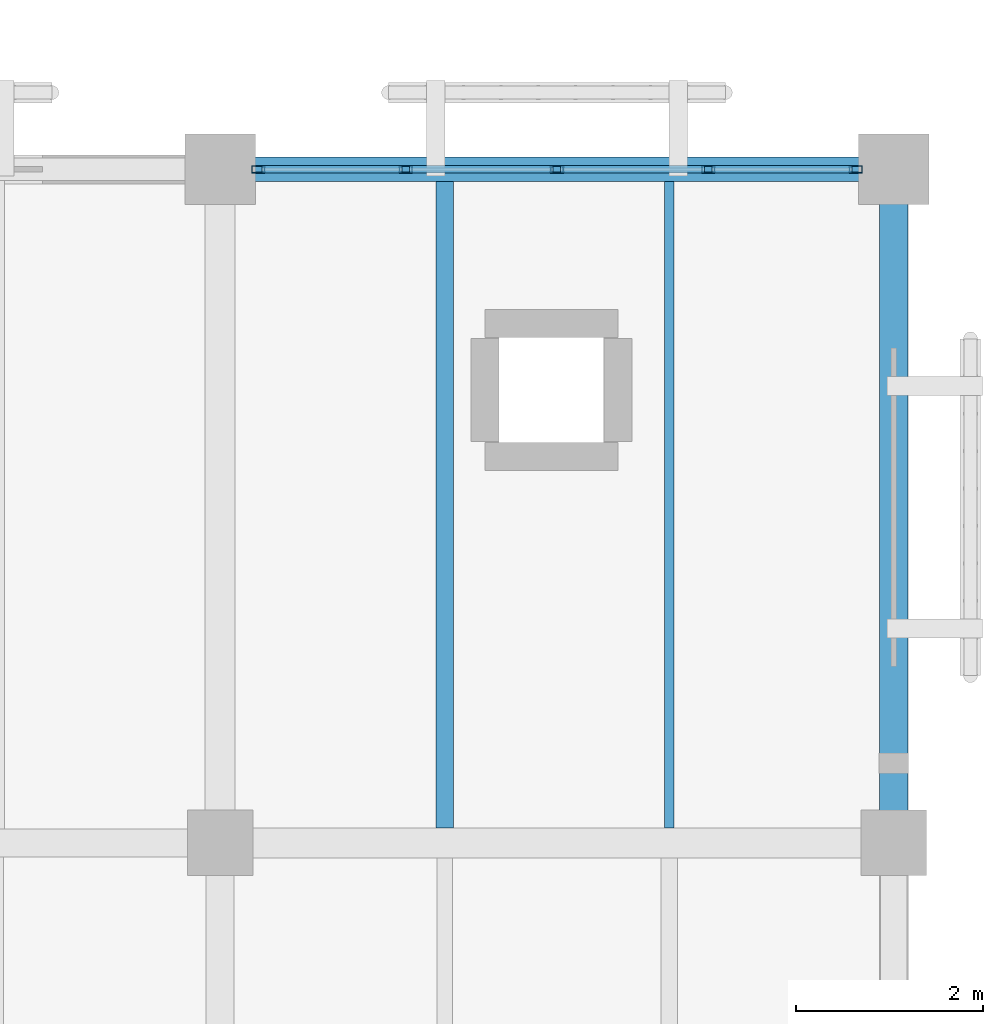
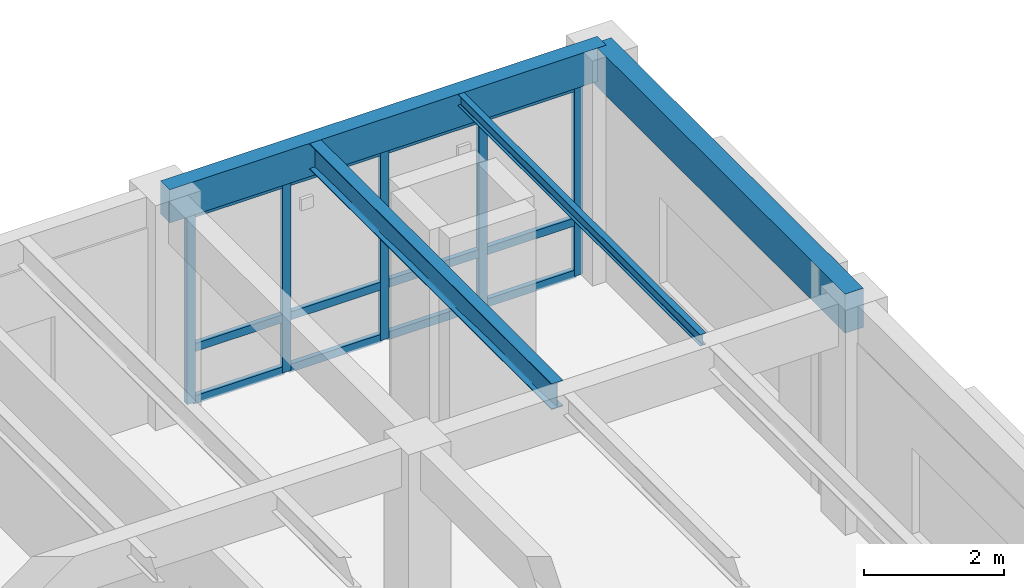
# One storey, part 115 of 170: 17 members, 4 beams, 1 element without a shape of its own.
"""IFC4 building model written with IfcOpenShell, lengths in metres."""

from ifc_helpers import new_model, si_unit, direction, frame, origin, origin_2d, place, context, subcontext, project, spatial, rectangle, hollow_rectangle, i_section, extrude, material, layer, layer_set, material_profile, profile_set, type_object, element, aggregate, save


model = new_model("IFC4")

# Units and contexts
model_context = context("Model", 3, precision=1e-05, world=origin(), true_north=direction((0.0, 1.0)))
body_context = subcontext(model_context, "Body", "Model", "MODEL_VIEW")
ifc_project = project(units=[si_unit("LENGTHUNIT", "METRE"), si_unit("AREAUNIT", "SQUARE_METRE"), si_unit("VOLUMEUNIT", "CUBIC_METRE"), si_unit("PLANEANGLEUNIT", "RADIAN"), si_unit("MASSUNIT", "GRAM", prefix="KILO")], contexts=[model_context])

# Site, building, storey
site_placement = place(None, origin())
site = spatial("IfcSite", under=ifc_project, at=site_placement, CompositionType="ELEMENT")
building_placement = place(site_placement, origin())
building = spatial("IfcBuilding", under=site, at=building_placement, Name="Mazaris Harbour Polytechnic", CompositionType="ELEMENT")
storey_placement = place(building_placement, frame((0.0, 0.0, 5.39990234375)))
storey = spatial("IfcBuildingStorey", under=building, at=storey_placement, Name="L01", CompositionType="ELEMENT", Elevation=5.39990234375)

# Curtain wall, members
ifc_material_1 = material(Name="Anodised Bronze Aluminium and Low-E Glass", Category="aluminium")
ifc_layer = layer(ifc_material_1, 0.169921875, Name="Anodised Bronze Aluminium and Low-E Glass")
ifc_layer_set = layer_set([ifc_layer], Name="Anodised Bronze Aluminium and Low-E Glass")
curtain_wall_type = type_object("IfcCurtainWallType", Name="Studio North-Light Curtain Wall", PredefinedType="NOTDEFINED", material=ifc_layer_set)
curtain_wall_placement = place(storey_placement, origin())
curtain_wall = element("IfcCurtainWall", 1, at=curtain_wall_placement, inside=storey, type_object=curtain_wall_type, Name="V5 L01 Curtain Wall 208", PredefinedType="NOTDEFINED")
ifc_material_2 = material(Name="Anodised Bronze Steel S355", Category="steel")
ifc_material_profile_1 = material_profile(ifc_material_2, hollow_rectangle(XDim=0.080078125, YDim=0.139892578125, WallThickness=0.00634765625, at=origin_2d()), Name="RHS 80x140x6.3")
ifc_profile_set_1 = profile_set([ifc_material_profile_1], Name="Anodised Bronze Steel S355")
member_type_1 = type_object("IfcMemberType", Name="Curtain Mullion RHS80x140", PredefinedType="MULLION", material=ifc_profile_set_1)
member_1_placement = place(storey_placement, frame((166.007080078125, 108.0, 0.0), z_axis=(0.0, 0.0, 1.0), x_axis=(0.0, 1.0, 0.0)))
member_1 = element("IfcMember", 2, at=member_1_placement, type_object=member_type_1, Name="CW-03 mullion 1", PredefinedType="MULLION", context=body_context, shape_type="SweptSolid", body=[
    extrude(hollow_rectangle(XDim=0.080078125, YDim=0.139892578125, WallThickness=0.00634765625, at=origin_2d()), origin(), (0.0, 0.0, 1.0), 3.330078125),
])
member_2_placement = place(storey_placement, frame((167.58349609375, 108.0, 0.0), z_axis=(0.0, 0.0, 1.0), x_axis=(0.0, 1.0, 0.0)))
member_2 = element("IfcMember", 3, at=member_2_placement, type_object=member_type_1, Name="CW-03 mullion 2", PredefinedType="MULLION", context=body_context, shape_type="SweptSolid", body=[
    extrude(hollow_rectangle(XDim=0.080078125, YDim=0.139892578125, WallThickness=0.00634765625, at=origin_2d()), origin(), (0.0, 0.0, 1.0), 3.330078125),
])
member_3_placement = place(storey_placement, frame((169.199951171875, 108.0, 0.0), z_axis=(0.0, 0.0, 1.0), x_axis=(0.0, 1.0, 0.0)))
member_3 = element("IfcMember", 4, at=member_3_placement, type_object=member_type_1, Name="CW-03 mullion 3", PredefinedType="MULLION", context=body_context, shape_type="SweptSolid", body=[
    extrude(hollow_rectangle(XDim=0.080078125, YDim=0.139892578125, WallThickness=0.00634765625, at=origin_2d()), origin(), (0.0, 0.0, 1.0), 3.330078125),
])
member_4_placement = place(storey_placement, frame((170.81640625, 108.0, 0.0), z_axis=(0.0, 0.0, 1.0), x_axis=(0.0, 1.0, 0.0)))
member_4 = element("IfcMember", 5, at=member_4_placement, type_object=member_type_1, Name="CW-03 mullion 4", PredefinedType="MULLION", context=body_context, shape_type="SweptSolid", body=[
    extrude(hollow_rectangle(XDim=0.080078125, YDim=0.139892578125, WallThickness=0.00634765625, at=origin_2d()), origin(), (0.0, 0.0, 1.0), 3.330078125),
])
member_5_placement = place(storey_placement, frame((172.39306640625, 108.0, 0.0), z_axis=(0.0, 0.0, 1.0), x_axis=(0.0, 1.0, 0.0)))
member_5 = element("IfcMember", 6, at=member_5_placement, type_object=member_type_1, Name="CW-03 mullion 5", PredefinedType="MULLION", context=body_context, shape_type="SweptSolid", body=[
    extrude(hollow_rectangle(XDim=0.080078125, YDim=0.139892578125, WallThickness=0.00634765625, at=origin_2d()), origin(), (0.0, 0.0, 1.0), 3.330078125),
])
ifc_material_3 = material(Name="Anodised Bronze Steel S355", Category="steel")
ifc_material_profile_2 = material_profile(ifc_material_3, hollow_rectangle(XDim=0.080078125, YDim=0.139892578125, WallThickness=0.00634765625, at=origin_2d()), Name="RHS 80x140x6.3")
ifc_profile_set_2 = profile_set([ifc_material_profile_2], Name="Anodised Bronze Steel S355")
member_type_2 = type_object("IfcMemberType", Name="Curtain Transom RHS80x140", PredefinedType="USERDEFINED", material=ifc_profile_set_2)
member_6_placement = place(storey_placement, frame((166.047119140625, 108.0, 0.0400390625), z_axis=(1.0, 0.0, 0.0), x_axis=(0.0, 1.0, 0.0)))
member_6 = element("IfcMember", 7, at=member_6_placement, type_object=member_type_2, Name="CW-03 transom 1.1", ObjectType="TRANSOM", PredefinedType="USERDEFINED", context=body_context, shape_type="SweptSolid", body=[
    extrude(hollow_rectangle(XDim=0.080078125, YDim=0.139892578125, WallThickness=0.00634765625, at=origin_2d()), origin(), (0.0, 0.0, 1.0), 1.496337890625),
])
member_7_placement = place(storey_placement, frame((166.047119140625, 108.0, 0.9501953125), z_axis=(1.0, 0.0, 0.0), x_axis=(0.0, 1.0, 0.0)))
member_7 = element("IfcMember", 8, at=member_7_placement, type_object=member_type_2, Name="CW-03 transom 1.2", ObjectType="TRANSOM", PredefinedType="USERDEFINED", context=body_context, shape_type="SweptSolid", body=[
    extrude(hollow_rectangle(XDim=0.080078125, YDim=0.139892578125, WallThickness=0.00634765625, at=origin_2d()), origin(), (0.0, 0.0, 1.0), 1.496337890625),
])
member_8_placement = place(storey_placement, frame((166.047119140625, 108.0, 3.2900390625), z_axis=(1.0, 0.0, 0.0), x_axis=(0.0, 1.0, 0.0)))
member_8 = element("IfcMember", 9, at=member_8_placement, type_object=member_type_2, Name="CW-03 transom 1.3", ObjectType="TRANSOM", PredefinedType="USERDEFINED", context=body_context, shape_type="SweptSolid", body=[
    extrude(hollow_rectangle(XDim=0.080078125, YDim=0.139892578125, WallThickness=0.00634765625, at=origin_2d()), origin(), (0.0, 0.0, 1.0), 1.496337890625),
])
member_9_placement = place(storey_placement, frame((167.62353515625, 108.0, 0.0400390625), z_axis=(1.0, 0.0, 0.0), x_axis=(0.0, 1.0, 0.0)))
member_9 = element("IfcMember", 10, at=member_9_placement, type_object=member_type_2, Name="CW-03 transom 2.1", ObjectType="TRANSOM", PredefinedType="USERDEFINED", context=body_context, shape_type="SweptSolid", body=[
    extrude(hollow_rectangle(XDim=0.080078125, YDim=0.139892578125, WallThickness=0.00634765625, at=origin_2d()), origin(), (0.0, 0.0, 1.0), 1.536376953125),
])
member_10_placement = place(storey_placement, frame((167.62353515625, 108.0, 0.9501953125), z_axis=(1.0, 0.0, 0.0), x_axis=(0.0, 1.0, 0.0)))
member_10 = element("IfcMember", 11, at=member_10_placement, type_object=member_type_2, Name="CW-03 transom 2.2", ObjectType="TRANSOM", PredefinedType="USERDEFINED", context=body_context, shape_type="SweptSolid", body=[
    extrude(hollow_rectangle(XDim=0.080078125, YDim=0.139892578125, WallThickness=0.00634765625, at=origin_2d()), origin(), (0.0, 0.0, 1.0), 1.536376953125),
])
member_11_placement = place(storey_placement, frame((167.62353515625, 108.0, 3.2900390625), z_axis=(1.0, 0.0, 0.0), x_axis=(0.0, 1.0, 0.0)))
member_11 = element("IfcMember", 12, at=member_11_placement, type_object=member_type_2, Name="CW-03 transom 2.3", ObjectType="TRANSOM", PredefinedType="USERDEFINED", context=body_context, shape_type="SweptSolid", body=[
    extrude(hollow_rectangle(XDim=0.080078125, YDim=0.139892578125, WallThickness=0.00634765625, at=origin_2d()), origin(), (0.0, 0.0, 1.0), 1.536376953125),
])
member_12_placement = place(storey_placement, frame((169.239990234375, 108.0, 0.0400390625), z_axis=(1.0, 0.0, 0.0), x_axis=(0.0, 1.0, 0.0)))
member_12 = element("IfcMember", 13, at=member_12_placement, type_object=member_type_2, Name="CW-03 transom 3.1", ObjectType="TRANSOM", PredefinedType="USERDEFINED", context=body_context, shape_type="SweptSolid", body=[
    extrude(hollow_rectangle(XDim=0.080078125, YDim=0.139892578125, WallThickness=0.00634765625, at=origin_2d()), origin(), (0.0, 0.0, 1.0), 1.53662109375),
])
member_13_placement = place(storey_placement, frame((169.239990234375, 108.0, 0.9501953125), z_axis=(1.0, 0.0, 0.0), x_axis=(0.0, 1.0, 0.0)))
member_13 = element("IfcMember", 14, at=member_13_placement, type_object=member_type_2, Name="CW-03 transom 3.2", ObjectType="TRANSOM", PredefinedType="USERDEFINED", context=body_context, shape_type="SweptSolid", body=[
    extrude(hollow_rectangle(XDim=0.080078125, YDim=0.139892578125, WallThickness=0.00634765625, at=origin_2d()), origin(), (0.0, 0.0, 1.0), 1.53662109375),
])
member_14_placement = place(storey_placement, frame((169.239990234375, 108.0, 3.2900390625), z_axis=(1.0, 0.0, 0.0), x_axis=(0.0, 1.0, 0.0)))
member_14 = element("IfcMember", 15, at=member_14_placement, type_object=member_type_2, Name="CW-03 transom 3.3", ObjectType="TRANSOM", PredefinedType="USERDEFINED", context=body_context, shape_type="SweptSolid", body=[
    extrude(hollow_rectangle(XDim=0.080078125, YDim=0.139892578125, WallThickness=0.00634765625, at=origin_2d()), origin(), (0.0, 0.0, 1.0), 1.53662109375),
])
member_15_placement = place(storey_placement, frame((170.8564453125, 108.0, 0.0400390625), z_axis=(1.0, 0.0, 0.0), x_axis=(0.0, 1.0, 0.0)))
member_15 = element("IfcMember", 16, at=member_15_placement, type_object=member_type_2, Name="CW-03 transom 4.1", ObjectType="TRANSOM", PredefinedType="USERDEFINED", context=body_context, shape_type="SweptSolid", body=[
    extrude(hollow_rectangle(XDim=0.080078125, YDim=0.139892578125, WallThickness=0.00634765625, at=origin_2d()), origin(), (0.0, 0.0, 1.0), 1.49658203125),
])
member_16_placement = place(storey_placement, frame((170.8564453125, 108.0, 0.9501953125), z_axis=(1.0, 0.0, 0.0), x_axis=(0.0, 1.0, 0.0)))
member_16 = element("IfcMember", 17, at=member_16_placement, type_object=member_type_2, Name="CW-03 transom 4.2", ObjectType="TRANSOM", PredefinedType="USERDEFINED", context=body_context, shape_type="SweptSolid", body=[
    extrude(hollow_rectangle(XDim=0.080078125, YDim=0.139892578125, WallThickness=0.00634765625, at=origin_2d()), origin(), (0.0, 0.0, 1.0), 1.49658203125),
])
member_17_placement = place(storey_placement, frame((170.8564453125, 108.0, 3.2900390625), z_axis=(1.0, 0.0, 0.0), x_axis=(0.0, 1.0, 0.0)))
member_17 = element("IfcMember", 18, at=member_17_placement, type_object=member_type_2, Name="CW-03 transom 4.3", ObjectType="TRANSOM", PredefinedType="USERDEFINED", context=body_context, shape_type="SweptSolid", body=[
    extrude(hollow_rectangle(XDim=0.080078125, YDim=0.139892578125, WallThickness=0.00634765625, at=origin_2d()), origin(), (0.0, 0.0, 1.0), 1.49658203125),
])
aggregate(curtain_wall, [member_1, member_2, member_3, member_4, member_5, member_6, member_7, member_8, member_9, member_10, member_11, member_12, member_13, member_14, member_15, member_16, member_17])

# Beams
ifc_material_4 = material(Name="Glulam GL32h", Category="wood")
ifc_material_profile_3 = material_profile(ifc_material_4, rectangle(XDim=0.260009765625, YDim=0.580078125, at=origin_2d()), Name="RECT260x580")
ifc_profile_set_3 = profile_set([ifc_material_profile_3], Name="Glulam GL32h")
beam_type_1 = type_object("IfcBeamType", Name="Glulam Girder 260x580 Exterior", PredefinedType="BEAM", material=ifc_profile_set_3)
beam_1_placement = place(storey_placement, frame((165.60009765625, 108.0, 3.630126953125), z_axis=(1.0, 0.0, 0.0), x_axis=(0.0, 1.0, 0.0)))
element("IfcBeam", 19, at=beam_1_placement, inside=storey, type_object=beam_type_1, Name="V5 L01 Girder 2966", PredefinedType="BEAM", context=body_context, shape_type="SweptSolid", body=[
    extrude(rectangle(XDim=0.260009765625, YDim=0.580078125, at=origin_2d()), origin(), (0.0, 0.0, 1.0), 7.199951171875),
])
ifc_material_5 = material(Name="Glulam GL32h", Category="wood")
ifc_material_profile_4 = material_profile(ifc_material_5, rectangle(XDim=0.300048828125, YDim=0.679931640625, at=origin_2d()), Name="RECT300x680")
ifc_profile_set_4 = profile_set([ifc_material_profile_4], Name="Glulam GL32h")
beam_type_2 = type_object("IfcBeamType", Name="Glulam Girder 300x680 Exterior", PredefinedType="BEAM", material=ifc_profile_set_4)
beam_2_placement = place(storey_placement, frame((172.800048828125, 100.800048828125, 3.580078125), z_axis=(0.0, 1.0, 0.0), x_axis=(-1.0, 0.0, 0.0)))
element("IfcBeam", 20, at=beam_2_placement, inside=storey, type_object=beam_type_2, Name="V5 L01 Tie Girder 3028", PredefinedType="BEAM", context=body_context, shape_type="SweptSolid", body=[
    extrude(rectangle(XDim=0.300048828125, YDim=0.679931640625, at=origin_2d()), origin(), (0.0, 0.0, 1.0), 7.199951171875),
])
ifc_material_6 = material(Name="Steel S355", Category="steel")
ifc_material_profile_5 = material_profile(ifc_material_6, i_section(OverallWidth=0.10009765625, OverallDepth=0.199951171875, WebThickness=0.005615234375, FlangeThickness=0.008544921875, FilletRadius=0.011962890625, at=origin_2d()), Name="IPE 200")
ifc_profile_set_5 = profile_set([ifc_material_profile_5], Name="Steel S355")
beam_type_3 = type_object("IfcBeamType", Name="Steel Joist IPE200", PredefinedType="JOIST", material=ifc_profile_set_5)
beam_3_placement = place(storey_placement, frame((170.39990234375, 100.9599609375, 3.820068359375), z_axis=(0.0, 1.0, 0.0), x_axis=(-1.0, 0.0, 0.0)))
element("IfcBeam", 21, at=beam_3_placement, inside=storey, type_object=beam_type_3, Name="V5 L01 Floor Joist 3115", PredefinedType="JOIST", context=body_context, shape_type="SweptSolid", body=[
    extrude(i_section(OverallWidth=0.10009765625, OverallDepth=0.199951171875, WebThickness=0.005615234375, FlangeThickness=0.008544921875, FilletRadius=0.011962890625, at=origin_2d()), origin(), (0.0, 0.0, 1.0), 6.91015625),
])
ifc_material_7 = material(Name="Steel S355", Category="steel")
ifc_material_profile_6 = material_profile(ifc_material_7, i_section(OverallWidth=0.18994140625, OverallDepth=0.449951171875, WebThickness=0.009521484375, FlangeThickness=0.0146484375, FilletRadius=0.02099609375, at=origin_2d()), Name="IPE 450")
ifc_profile_set_6 = profile_set([ifc_material_profile_6], Name="Steel S355")
beam_type_4 = type_object("IfcBeamType", Name="Steel Joist IPE450", PredefinedType="JOIST", material=ifc_profile_set_6)
beam_4_placement = place(storey_placement, frame((168.0, 100.9599609375, 3.695068359375), z_axis=(0.0, 1.0, 0.0), x_axis=(-1.0, 0.0, 0.0)))
element("IfcBeam", 22, at=beam_4_placement, inside=storey, type_object=beam_type_4, Name="V5 L01 Floor Joist 3114", PredefinedType="JOIST", context=body_context, shape_type="SweptSolid", body=[
    extrude(i_section(OverallWidth=0.18994140625, OverallDepth=0.449951171875, WebThickness=0.009521484375, FlangeThickness=0.0146484375, FilletRadius=0.02099609375, at=origin_2d()), origin(), (0.0, 0.0, 1.0), 6.91015625),
])

save(model, "model.ifc")
